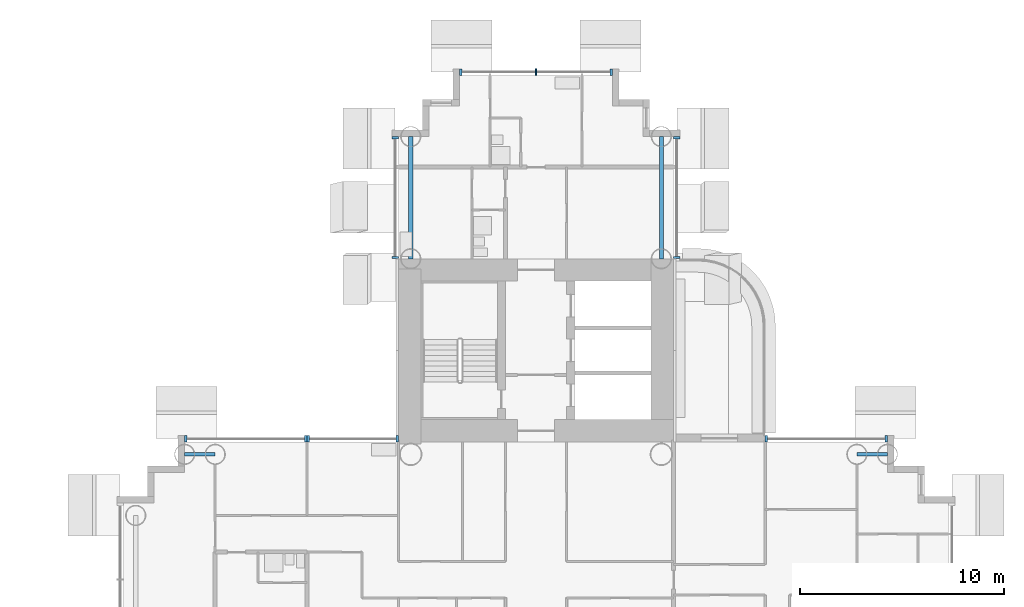
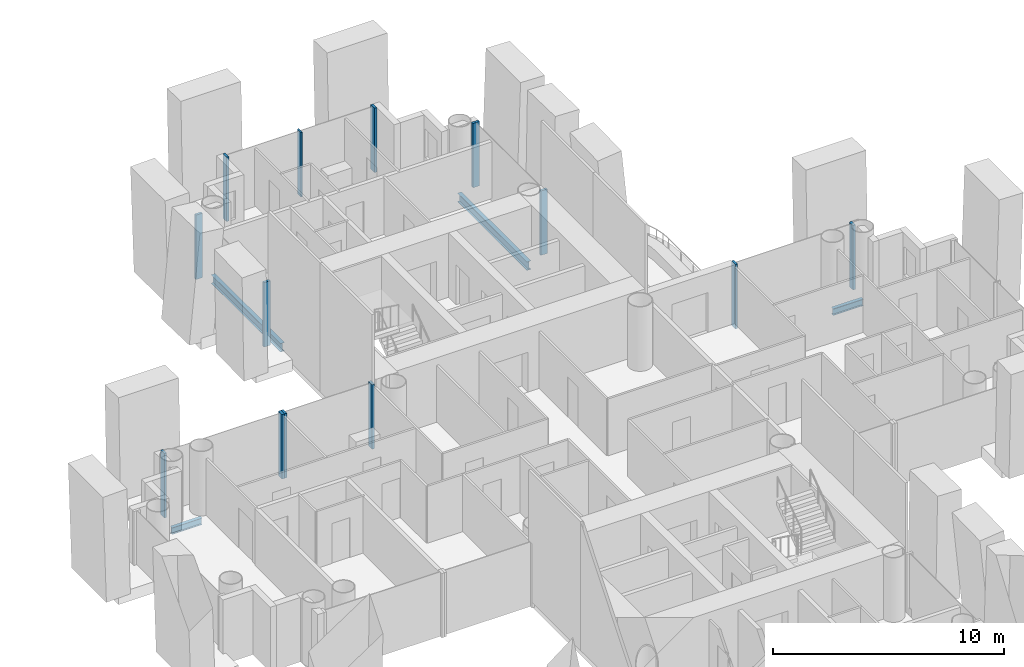
# One storey, part 7 of 25: 13 members, 4 beams, 6 elements without a shape of their own.
"""IFC4 building model written with IfcOpenShell, lengths in metres."""

from ifc_helpers import new_model, si_unit, direction, frame, origin, origin_2d, place, context, subcontext, project, spatial, rectangle, i_section, extrude, material, layer, layer_set, material_profile, profile_set, type_object, element, aggregate, save


model = new_model("IFC4")

# Units and contexts
model_context = context("Model", 3, precision=1e-05, world=origin(), true_north=direction((0.0, 1.0)))
body_context = subcontext(model_context, "Body", "Model", "MODEL_VIEW")
ifc_project = project(units=[si_unit("LENGTHUNIT", "METRE"), si_unit("AREAUNIT", "SQUARE_METRE"), si_unit("VOLUMEUNIT", "CUBIC_METRE"), si_unit("PLANEANGLEUNIT", "RADIAN"), si_unit("MASSUNIT", "GRAM", prefix="KILO")], contexts=[model_context])

# Site, building, storey
site_placement = place(None, origin())
site = spatial("IfcSite", under=ifc_project, at=site_placement, CompositionType="ELEMENT")
building_placement = place(site_placement, origin())
building = spatial("IfcBuilding", under=site, at=building_placement, Name="Ipe Terrace Towers", CompositionType="ELEMENT")
storey_placement = place(building_placement, frame((0.0, 0.0, 65.300048828125)))
storey = spatial("IfcBuildingStorey", under=building, at=storey_placement, Name="L17", CompositionType="ELEMENT", Elevation=65.300048828125)

# Beams
ifc_material_1 = material(Name="Steel S355", Category="steel")
ifc_material_profile_1 = material_profile(ifc_material_1, i_section(OverallWidth=0.175048828125, OverallDepth=0.35009765625, WebThickness=0.007080078125, FlangeThickness=0.010986328125, at=origin_2d()), Name="H-350x175x7x11")
ifc_profile_set_1 = profile_set([ifc_material_profile_1], Name="Steel S355")
beam_type_1 = type_object("IfcBeamType", Name="H04 EDGE BEAM H-350x175x7x11", PredefinedType="BEAM", material=ifc_profile_set_1)
for number, where, z_axis, x_axis, name in (
    (1, (20.25, 6.14990234375, -0.574951171875), (-1.0, 0.0, 0.0), (0.0, -1.0, 0.0), "Edge beam T2-EB-B03-B05"),
    (2, (51.75, 6.14990234375, -0.574951171875), (1.0, 0.0, 0.0), (0.0, 1.0, 0.0), "Edge beam T2-EB-D04-D06"),
):
    element("IfcBeam", number, at=place(storey_placement, frame(where, z_axis=z_axis, x_axis=x_axis)), inside=storey, type_object=beam_type_1, Name=name, PredefinedType="BEAM", context=body_context, shape_type="SweptSolid", body=[
        extrude(i_section(OverallWidth=0.175048828125, OverallDepth=0.35009765625, WebThickness=0.007080078125, FlangeThickness=0.010986328125, at=origin_2d()), origin(), (0.0, 0.0, 1.0), 1.5),
    ])
ifc_material_2 = material(Name="Steel S355", Category="steel")
ifc_material_profile_2 = material_profile(ifc_material_2, i_section(OverallWidth=0.199951171875, OverallDepth=0.449951171875, WebThickness=0.009033203125, FlangeThickness=0.013916015625, at=origin_2d()), Name="H-450x200x9x14")
ifc_profile_set_2 = profile_set([ifc_material_profile_2], Name="Steel S355")
beam_type_2 = type_object("IfcBeamType", Name="H08 EDGE BEAM H-450x200x9x14", PredefinedType="BEAM", material=ifc_profile_set_2)
for number, where, z_axis, x_axis, name in (
    (3, (42.14990234375, 15.75, -0.625), (0.0, 1.0, 0.0), (-1.0, 0.0, 0.0), "Edge beam T2-EB-A01-A03"),
    (4, (29.85009765625, 15.75, -0.625), (0.0, 1.0, 0.0), (-1.0, 0.0, 0.0), "Edge beam T2-EB-A02-A04"),
):
    element("IfcBeam", number, at=place(storey_placement, frame(where, z_axis=z_axis, x_axis=x_axis)), inside=storey, type_object=beam_type_2, Name=name, PredefinedType="BEAM", context=body_context, shape_type="SweptSolid", body=[
        extrude(i_section(OverallWidth=0.199951171875, OverallDepth=0.449951171875, WebThickness=0.009033203125, FlangeThickness=0.013916015625, at=origin_2d()), origin(), (0.0, 0.0, 1.0), 6.0),
    ])

# Curtain wall, members
ifc_material_3 = material(Name="Aluminium alloy 6063-T6", Category="aluminium")
ifc_layer = layer(ifc_material_3, 0.320068359375)
ifc_layer_set = layer_set([ifc_layer], Name="TOWER UNITISED CURTAIN WALL")
curtain_wall_type = type_object("IfcCurtainWallType", Name="TOWER UNITISED CURTAIN WALL", PredefinedType="NOTDEFINED", material=ifc_layer_set)
curtain_wall_1_placement = place(storey_placement, origin())
curtain_wall_1 = element("IfcCurtainWall", 5, at=curtain_wall_1_placement, inside=storey, type_object=curtain_wall_type, Name="T2-CW-L17-17a curtain wall", PredefinedType="NOTDEFINED")
ifc_material_4 = material(Name="Aluminium alloy 6063-T6", Category="aluminium")
ifc_material_profile_3 = material_profile(ifc_material_4, rectangle(XDim=0.320068359375, YDim=0.1201171875, at=origin_2d()), Name="TOWER UNITISED CORNER MULLION 320 x 120")
ifc_profile_set_3 = profile_set([ifc_material_profile_3], Name="Aluminium alloy 6063-T6")
member_type_1 = type_object("IfcMemberType", Name="TOWER UNITISED CORNER MULLION 320 x 120", PredefinedType="MULLION", material=ifc_profile_set_3)
member_1_placement = place(storey_placement, frame((53.18994140625, 6.909912109375, -0.300048828125), z_axis=(0.0, 0.0, 1.0), x_axis=(0.0, 1.0, 0.0)))
member_1 = element("IfcMember", 6, at=member_1_placement, type_object=member_type_1, Name="T2-CW-L17-17a mullion 1", PredefinedType="MULLION", context=body_context, shape_type="SweptSolid", body=[
    extrude(rectangle(XDim=0.320068359375, YDim=0.1201171875, at=origin_2d()), origin(), (0.0, 0.0, 1.0), 3.39990234375),
])
member_2_placement = place(storey_placement, frame((47.31005859375, 6.909912109375, -0.300048828125), z_axis=(0.0, 0.0, 1.0), x_axis=(0.0, 1.0, 0.0)))
member_2 = element("IfcMember", 7, at=member_2_placement, type_object=member_type_1, Name="T2-CW-L17-17a mullion 2", PredefinedType="MULLION", context=body_context, shape_type="SweptSolid", body=[
    extrude(rectangle(XDim=0.320068359375, YDim=0.1201171875, at=origin_2d()), origin(), (0.0, 0.0, 1.0), 3.39990234375),
])
aggregate(curtain_wall_1, [member_1, member_2])

curtain_wall_2_placement = place(storey_placement, origin())
curtain_wall_2 = element("IfcCurtainWall", 8, at=curtain_wall_2_placement, inside=storey, type_object=curtain_wall_type, Name="T2-CW-L17-20b curtain wall", PredefinedType="NOTDEFINED")
member_3_placement = place(storey_placement, frame((42.909912109375, 15.81103515625, -0.300048828125), z_axis=(0.0, 0.0, 1.0), x_axis=(1.0, 0.0, 0.0)))
member_3 = element("IfcMember", 9, at=member_3_placement, type_object=member_type_1, Name="T2-CW-L17-20b mullion 1", PredefinedType="MULLION", context=body_context, shape_type="SweptSolid", body=[
    extrude(rectangle(XDim=0.320068359375, YDim=0.1201171875, at=origin_2d()), origin(), (0.0, 0.0, 1.0), 3.39990234375),
])
member_4_placement = place(storey_placement, frame((42.909912109375, 21.68994140625, -0.300048828125), z_axis=(0.0, 0.0, 1.0), x_axis=(1.0, 0.0, 0.0)))
member_4 = element("IfcMember", 10, at=member_4_placement, type_object=member_type_1, Name="T2-CW-L17-20b mullion 2", PredefinedType="MULLION", context=body_context, shape_type="SweptSolid", body=[
    extrude(rectangle(XDim=0.320068359375, YDim=0.1201171875, at=origin_2d()), origin(), (0.0, 0.0, 1.0), 3.39990234375),
])
aggregate(curtain_wall_2, [member_3, member_4])

curtain_wall_3_placement = place(storey_placement, origin())
curtain_wall_3 = element("IfcCurtainWall", 11, at=curtain_wall_3_placement, inside=storey, type_object=curtain_wall_type, Name="T2-CW-L17-25a curtain wall", PredefinedType="NOTDEFINED")
member_5_placement = place(storey_placement, frame((39.68994140625, 24.909912109375, -0.300048828125), z_axis=(0.0, 0.0, 1.0), x_axis=(0.0, 1.0, 0.0)))
member_5 = element("IfcMember", 12, at=member_5_placement, type_object=member_type_1, Name="T2-CW-L17-25a mullion 1", PredefinedType="MULLION", context=body_context, shape_type="SweptSolid", body=[
    extrude(rectangle(XDim=0.320068359375, YDim=0.1201171875, at=origin_2d()), origin(), (0.0, 0.0, 1.0), 3.39990234375),
])
member_6_placement = place(storey_placement, frame((32.31005859375, 24.909912109375, -0.300048828125), z_axis=(0.0, 0.0, 1.0), x_axis=(0.0, 1.0, 0.0)))
member_6 = element("IfcMember", 13, at=member_6_placement, type_object=member_type_1, Name="T2-CW-L17-25a mullion 3", PredefinedType="MULLION", context=body_context, shape_type="SweptSolid", body=[
    extrude(rectangle(XDim=0.320068359375, YDim=0.1201171875, at=origin_2d()), origin(), (0.0, 0.0, 1.0), 3.39990234375),
])

curtain_wall_4_placement = place(storey_placement, origin())
curtain_wall_4 = element("IfcCurtainWall", 14, at=curtain_wall_4_placement, inside=storey, type_object=curtain_wall_type, Name="T2-CW-L17-30a curtain wall", PredefinedType="NOTDEFINED")
member_7_placement = place(storey_placement, frame((29.090087890625, 21.68994140625, -0.300048828125), z_axis=(0.0, 0.0, 1.0), x_axis=(-1.0, 0.0, 0.0)))
member_7 = element("IfcMember", 15, at=member_7_placement, type_object=member_type_1, Name="T2-CW-L17-30a mullion 1", PredefinedType="MULLION", context=body_context, shape_type="SweptSolid", body=[
    extrude(rectangle(XDim=0.320068359375, YDim=0.1201171875, at=origin_2d()), origin(), (0.0, 0.0, 1.0), 3.39990234375),
])
member_8_placement = place(storey_placement, frame((29.090087890625, 15.81103515625, -0.300048828125), z_axis=(0.0, 0.0, 1.0), x_axis=(-1.0, 0.0, 0.0)))
member_8 = element("IfcMember", 16, at=member_8_placement, type_object=member_type_1, Name="T2-CW-L17-30a mullion 2", PredefinedType="MULLION", context=body_context, shape_type="SweptSolid", body=[
    extrude(rectangle(XDim=0.320068359375, YDim=0.1201171875, at=origin_2d()), origin(), (0.0, 0.0, 1.0), 3.39990234375),
])
aggregate(curtain_wall_4, [member_7, member_8])

curtain_wall_5_placement = place(storey_placement, origin())
curtain_wall_5 = element("IfcCurtainWall", 17, at=curtain_wall_5_placement, inside=storey, type_object=curtain_wall_type, Name="T2-CW-L17-32a curtain wall", PredefinedType="NOTDEFINED")
member_9_placement = place(storey_placement, frame((29.18994140625, 6.909912109375, -0.300048828125), z_axis=(0.0, 0.0, 1.0), x_axis=(0.0, 1.0, 0.0)))
member_9 = element("IfcMember", 18, at=member_9_placement, type_object=member_type_1, Name="T2-CW-L17-32a mullion 1", PredefinedType="MULLION", context=body_context, shape_type="SweptSolid", body=[
    extrude(rectangle(XDim=0.320068359375, YDim=0.1201171875, at=origin_2d()), origin(), (0.0, 0.0, 1.0), 3.39990234375),
])
member_10_placement = place(storey_placement, frame((24.81005859375, 6.909912109375, -0.300048828125), z_axis=(0.0, 0.0, 1.0), x_axis=(0.0, 1.0, 0.0)))
member_10 = element("IfcMember", 19, at=member_10_placement, type_object=member_type_1, Name="T2-CW-L17-32a mullion 2", PredefinedType="MULLION", context=body_context, shape_type="SweptSolid", body=[
    extrude(rectangle(XDim=0.320068359375, YDim=0.1201171875, at=origin_2d()), origin(), (0.0, 0.0, 1.0), 3.39990234375),
])
aggregate(curtain_wall_5, [member_9, member_10])

curtain_wall_6_placement = place(storey_placement, origin())
curtain_wall_6 = element("IfcCurtainWall", 20, at=curtain_wall_6_placement, inside=storey, type_object=curtain_wall_type, Name="T2-CW-L17-33a curtain wall", PredefinedType="NOTDEFINED")
member_11_placement = place(storey_placement, frame((24.68994140625, 6.909912109375, -0.300048828125), z_axis=(0.0, 0.0, 1.0), x_axis=(0.0, 1.0, 0.0)))
member_11 = element("IfcMember", 21, at=member_11_placement, type_object=member_type_1, Name="T2-CW-L17-33a mullion 1", PredefinedType="MULLION", context=body_context, shape_type="SweptSolid", body=[
    extrude(rectangle(XDim=0.320068359375, YDim=0.1201171875, at=origin_2d()), origin(), (0.0, 0.0, 1.0), 3.39990234375),
])
member_12_placement = place(storey_placement, frame((18.81005859375, 6.909912109375, -0.300048828125), z_axis=(0.0, 0.0, 1.0), x_axis=(0.0, 1.0, 0.0)))
member_12 = element("IfcMember", 22, at=member_12_placement, type_object=member_type_1, Name="T2-CW-L17-33a mullion 2", PredefinedType="MULLION", context=body_context, shape_type="SweptSolid", body=[
    extrude(rectangle(XDim=0.320068359375, YDim=0.1201171875, at=origin_2d()), origin(), (0.0, 0.0, 1.0), 3.39990234375),
])
aggregate(curtain_wall_6, [member_11, member_12])

# Member
ifc_material_5 = material(Name="Aluminium alloy 6063-T6", Category="aluminium")
ifc_material_profile_4 = material_profile(ifc_material_5, rectangle(XDim=0.320068359375, YDim=0.06494140625, at=origin_2d()), Name="TOWER UNITISED MULLION 320 x 65")
ifc_profile_set_4 = profile_set([ifc_material_profile_4], Name="Aluminium alloy 6063-T6")
member_type_2 = type_object("IfcMemberType", Name="TOWER UNITISED MULLION 320 x 65", PredefinedType="MULLION", material=ifc_profile_set_4)
member_13_placement = place(storey_placement, frame((36.0, 24.909912109375, -0.300048828125), z_axis=(0.0, 0.0, 1.0), x_axis=(0.0, 1.0, 0.0)))
member_13 = element("IfcMember", 23, at=member_13_placement, type_object=member_type_2, Name="T2-CW-L17-25a mullion 2", PredefinedType="MULLION", context=body_context, shape_type="SweptSolid", body=[
    extrude(rectangle(XDim=0.320068359375, YDim=0.06494140625, at=origin_2d()), origin(), (0.0, 0.0, 1.0), 3.39990234375),
])

aggregate(curtain_wall_3, [member_5, member_13, member_6])

save(model, "model.ifc")
